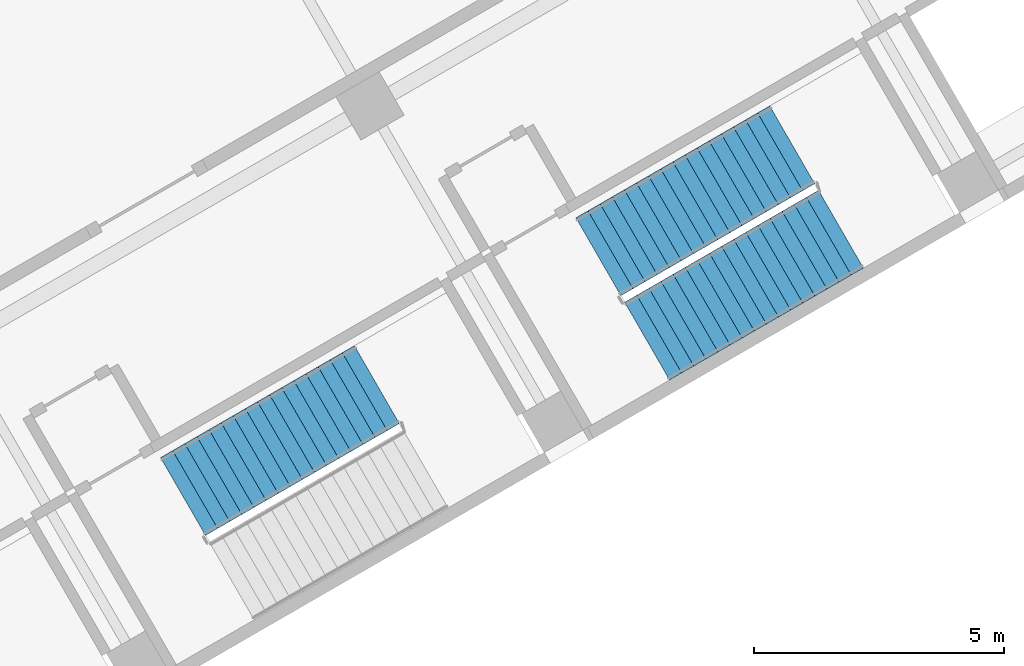
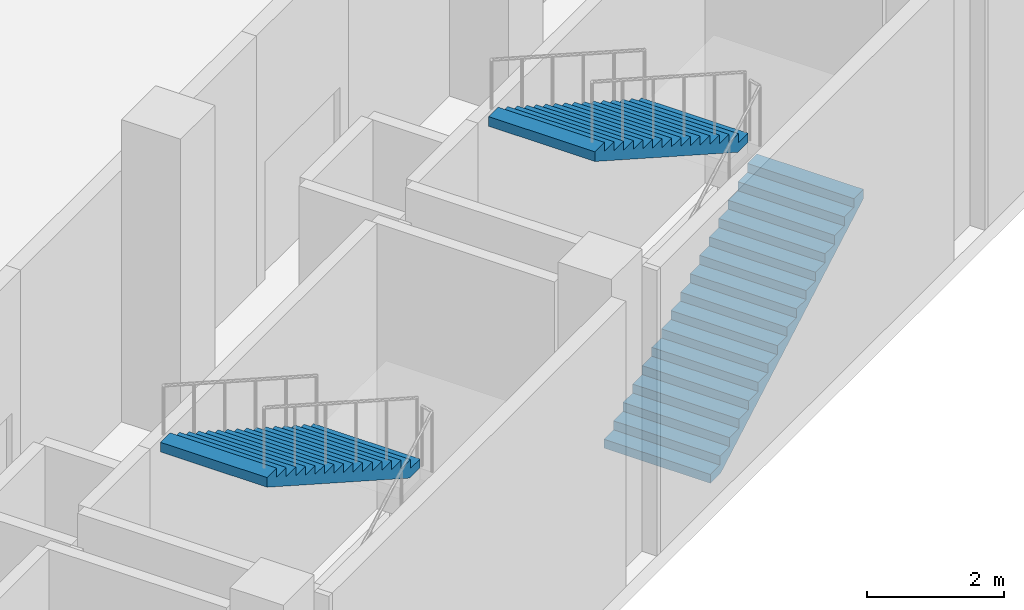
# One storey, part 25 of 35: 3 stair flights, 2 elements without a shape of their own.
"""IFC4 building model written with IfcOpenShell, lengths in metres."""

from ifc_helpers import new_model, si_unit, direction, frame, origin, place, context, subcontext, project, spatial, polyline, outline, extrude, material, type_object, element, aggregate, save


model = new_model("IFC4")

# Units and contexts
model_context = context("Model", 3, precision=1e-05, world=origin(), true_north=direction((0.0, 1.0)))
body_context = subcontext(model_context, "Body", "Model", "MODEL_VIEW")
ifc_project = project(units=[si_unit("LENGTHUNIT", "METRE"), si_unit("AREAUNIT", "SQUARE_METRE"), si_unit("VOLUMEUNIT", "CUBIC_METRE"), si_unit("PLANEANGLEUNIT", "RADIAN"), si_unit("MASSUNIT", "GRAM", prefix="KILO")], contexts=[model_context])

# Site, building, storey
site_placement = place(None, origin())
site = spatial("IfcSite", under=ifc_project, at=site_placement, CompositionType="ELEMENT")
building_placement = place(site_placement, origin())
building = spatial("IfcBuilding", under=site, at=building_placement, Name="Mestral Congress Tower", CompositionType="ELEMENT")
storey_placement = place(building_placement, frame((0.0, 0.0, 6.0)))
storey = spatial("IfcBuildingStorey", under=building, at=storey_placement, Name="L01", CompositionType="ELEMENT", Elevation=6.0)

# Stair, stair flight
ifc_material = material(Name="Concrete C40/50", Category="concrete")
stair_type = type_object("IfcStairType", Name="Podium exit stair 1800", PredefinedType="HALF_TURN_STAIR", material=ifc_material)
placement = place(storey_placement, origin())
stair_1 = element("IfcStair", 1, at=placement, inside=storey, type_object=stair_type, Name="L01 Exit stair E2", PredefinedType="HALF_TURN_STAIR")
stair_flight_type = type_object("IfcStairFlightType", Name="Podium exit stair flight 1800", PredefinedType="STRAIGHT", material=ifc_material)
stair_flight_1_placement = place(storey_placement, frame((63.533447265625, -5.92724609375, 2.699951171875), z_axis=(0.0, 0.0, 1.0), x_axis=(-0.866025403784, -0.5, 0.0)))
stair_flight_1 = element("IfcStairFlight", 2, at=stair_flight_1_placement, type_object=stair_flight_type, Name="PS-E2 flight 2", NumberOfRisers=17, NumberOfTreads=16, PredefinedType="STRAIGHT", RiserHeight=0.158823529, TreadLength=0.28, context=body_context, shape_type="SweptSolid", body=[
    extrude(outline(polyline([(0.0, 0.0), (0.0, 0.158935546875), (0.280029296875, 0.158935546875), (0.280029296875, 0.317626953125), (0.56005859375, 0.317626953125), (0.56005859375, 0.4765625), (0.840087890625, 0.4765625), (0.840087890625, 0.63525390625), (1.1201171875, 0.63525390625), (1.1201171875, 0.794189453125), (1.39990234375, 0.794189453125), (1.39990234375, 0.952880859375), (1.679931640625, 0.952880859375), (1.679931640625, 1.11181640625), (1.9599609375, 1.11181640625), (1.9599609375, 1.2705078125), (2.239990234375, 1.2705078125), (2.239990234375, 1.429443359375), (2.52001953125, 1.429443359375), (2.52001953125, 1.588134765625), (2.800048828125, 1.588134765625), (2.800048828125, 1.7470703125), (3.080078125, 1.7470703125), (3.080078125, 1.90576171875), (3.360107421875, 1.90576171875), (3.360107421875, 2.064697265625), (3.639892578125, 2.064697265625), (3.639892578125, 2.2236328125), (3.919921875, 2.2236328125), (3.919921875, 2.38232421875), (4.199951171875, 2.38232421875), (4.199951171875, 2.541259765625), (4.47998046875, 2.541259765625), (4.47998046875, 2.699951171875), (4.47998046875, 2.368896484375), (0.3037109375, 0.0), (0.0, 0.0)])), frame((0.0, 0.89990234375, 0.0), z_axis=(0.0, -1.0, 0.0), x_axis=(1.0, 0.0, 0.0)), (0.0, 0.0, 1.0), 1.800048828125),
])
aggregate(stair_1, [stair_flight_1])

# Stair, stair flights
stair_2 = element("IfcStair", 3, at=placement, inside=storey, type_object=stair_type, Name="L01 Exit stair E3", PredefinedType="HALF_TURN_STAIR")
stair_flight_2_placement = place(storey_placement, frame((68.942626953125, -5.05615234375, 0.0), z_axis=(0.0, 0.0, 1.0), x_axis=(0.866025403784, 0.5, 0.0)))
stair_flight_2 = element("IfcStairFlight", 4, at=stair_flight_2_placement, type_object=stair_flight_type, Name="PS-E3 flight 1", NumberOfRisers=17, NumberOfTreads=16, PredefinedType="STRAIGHT", RiserHeight=0.158823529, TreadLength=0.28, context=body_context, shape_type="SweptSolid", body=[
    extrude(outline(polyline([(0.0, 0.0), (0.0, 0.158935546875), (0.280029296875, 0.158935546875), (0.280029296875, 0.317626953125), (0.56005859375, 0.317626953125), (0.56005859375, 0.4765625), (0.840087890625, 0.4765625), (0.840087890625, 0.63525390625), (1.1201171875, 0.63525390625), (1.1201171875, 0.794189453125), (1.39990234375, 0.794189453125), (1.39990234375, 0.952880859375), (1.679931640625, 0.952880859375), (1.679931640625, 1.11181640625), (1.9599609375, 1.11181640625), (1.9599609375, 1.2705078125), (2.239990234375, 1.2705078125), (2.239990234375, 1.429443359375), (2.52001953125, 1.429443359375), (2.52001953125, 1.588134765625), (2.800048828125, 1.588134765625), (2.800048828125, 1.7470703125), (3.080078125, 1.7470703125), (3.080078125, 1.90576171875), (3.360107421875, 1.90576171875), (3.360107421875, 2.064697265625), (3.639892578125, 2.064697265625), (3.639892578125, 2.2236328125), (3.919921875, 2.2236328125), (3.919921875, 2.38232421875), (4.199951171875, 2.38232421875), (4.199951171875, 2.541259765625), (4.47998046875, 2.541259765625), (4.47998046875, 2.699951171875), (4.47998046875, 2.368896484375), (0.3037109375, 0.0), (0.0, 0.0)])), frame((0.0, 0.89990234375, 0.0), z_axis=(0.0, -1.0, 0.0), x_axis=(1.0, 0.0, 0.0)), (0.0, 0.0, 1.0), 1.800048828125),
])
stair_flight_3_placement = place(storey_placement, frame((71.847412109375, -1.12744140625, 2.699951171875), z_axis=(0.0, 0.0, 1.0), x_axis=(-0.866025403784, -0.5, 0.0)))
stair_flight_3 = element("IfcStairFlight", 5, at=stair_flight_3_placement, type_object=stair_flight_type, Name="PS-E3 flight 2", NumberOfRisers=17, NumberOfTreads=16, PredefinedType="STRAIGHT", RiserHeight=0.158823529, TreadLength=0.28, context=body_context, shape_type="SweptSolid", body=[
    extrude(outline(polyline([(0.0, 0.0), (0.0, 0.158935546875), (0.280029296875, 0.158935546875), (0.280029296875, 0.317626953125), (0.56005859375, 0.317626953125), (0.56005859375, 0.4765625), (0.840087890625, 0.4765625), (0.840087890625, 0.63525390625), (1.1201171875, 0.63525390625), (1.1201171875, 0.794189453125), (1.39990234375, 0.794189453125), (1.39990234375, 0.952880859375), (1.679931640625, 0.952880859375), (1.679931640625, 1.11181640625), (1.9599609375, 1.11181640625), (1.9599609375, 1.2705078125), (2.239990234375, 1.2705078125), (2.239990234375, 1.429443359375), (2.52001953125, 1.429443359375), (2.52001953125, 1.588134765625), (2.800048828125, 1.588134765625), (2.800048828125, 1.7470703125), (3.080078125, 1.7470703125), (3.080078125, 1.90576171875), (3.360107421875, 1.90576171875), (3.360107421875, 2.064697265625), (3.639892578125, 2.064697265625), (3.639892578125, 2.2236328125), (3.919921875, 2.2236328125), (3.919921875, 2.38232421875), (4.199951171875, 2.38232421875), (4.199951171875, 2.541259765625), (4.47998046875, 2.541259765625), (4.47998046875, 2.699951171875), (4.47998046875, 2.368896484375), (0.3037109375, 0.0), (0.0, 0.0)])), frame((0.0, 0.89990234375, 0.0), z_axis=(0.0, -1.0, 0.0), x_axis=(1.0, 0.0, 0.0)), (0.0, 0.0, 1.0), 1.800048828125),
])
aggregate(stair_2, [stair_flight_2, stair_flight_3])

save(model, "model.ifc")
